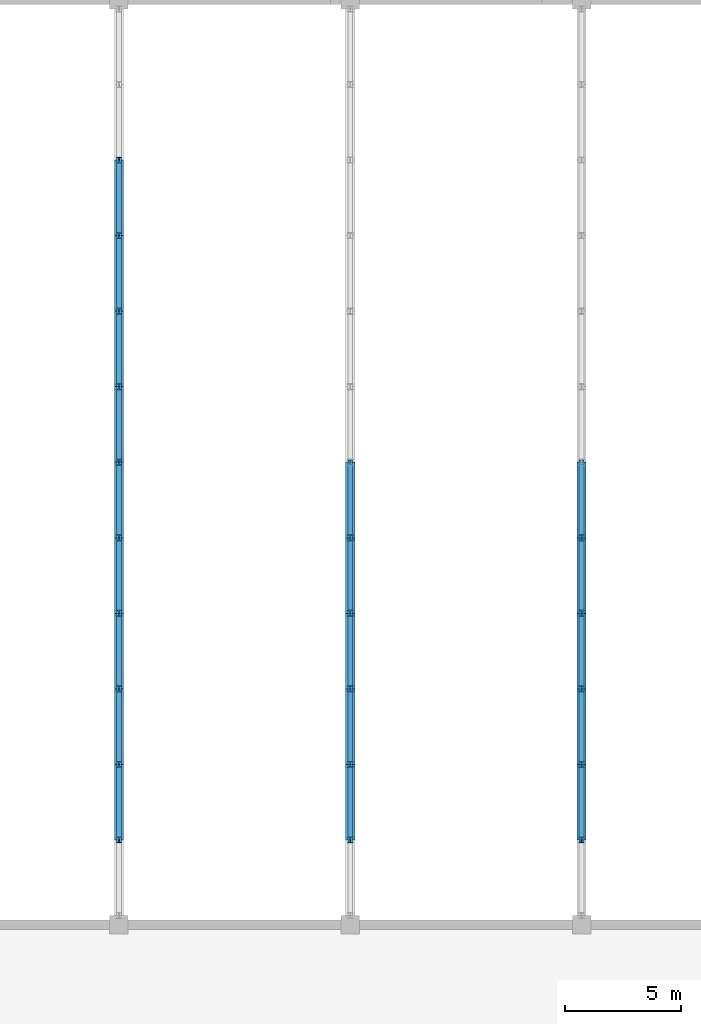
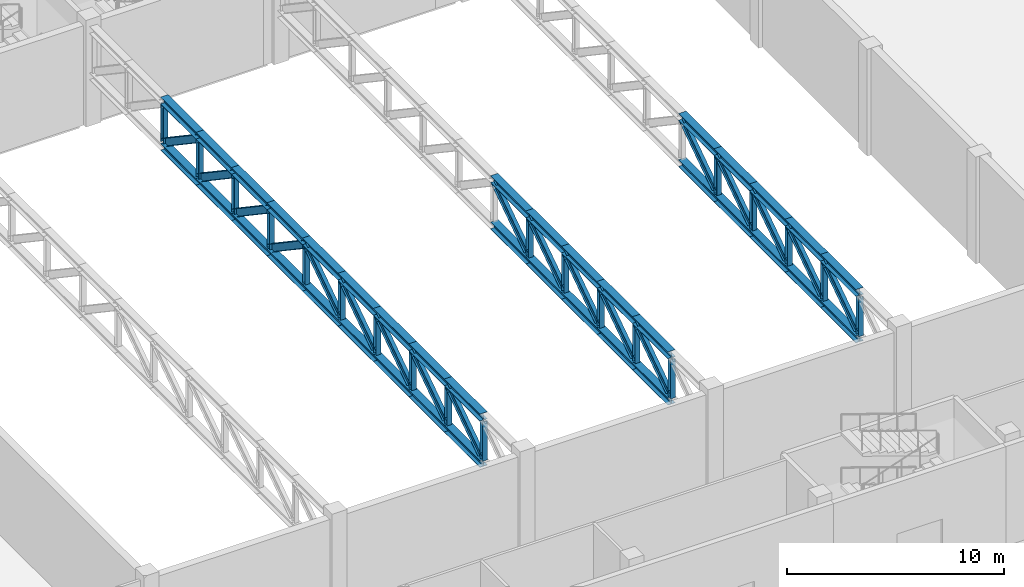
# One storey, part 19 of 51: 77 members.
"""IFC4 building model written with IfcOpenShell, lengths in metres."""

from ifc_helpers import new_model, si_unit, direction, frame, origin, origin_2d, place, context, subcontext, project, spatial, i_section, extrude, material, material_profile, profile_set, type_object, element, save


model = new_model("IFC4")

# Units and contexts
model_context = context("Model", 3, precision=1e-05, world=origin(), true_north=direction((0.0, 1.0)))
body_context = subcontext(model_context, "Body", "Model", "MODEL_VIEW")
ifc_project = project(units=[si_unit("LENGTHUNIT", "METRE"), si_unit("AREAUNIT", "SQUARE_METRE"), si_unit("VOLUMEUNIT", "CUBIC_METRE"), si_unit("PLANEANGLEUNIT", "RADIAN"), si_unit("MASSUNIT", "GRAM", prefix="KILO")], contexts=[model_context])

# Site, building, storey
site_placement = place(None, origin())
site = spatial("IfcSite", under=ifc_project, at=site_placement, CompositionType="ELEMENT")
building_placement = place(site_placement, origin())
building = spatial("IfcBuilding", under=site, at=building_placement, Name="Jabali Bay Hotel Tower and Convention Centre", CompositionType="ELEMENT")
storey_placement = place(building_placement, frame((0.0, 0.0, 9.0)))
storey = spatial("IfcBuildingStorey", under=building, at=storey_placement, Name="L01", CompositionType="ELEMENT", Elevation=9.0)

# Members
ifc_material = material(Name="Steel Q355B", Category="steel")
ifc_material_profile_1 = material_profile(ifc_material, i_section(OverallWidth=0.39990234375, OverallDepth=0.39990234375, WebThickness=0.012939453125, FlangeThickness=0.02099609375, at=origin_2d()), Name="HW400x400x13x21")
ifc_profile_set_1 = profile_set([ifc_material_profile_1], Name="Steel Q355B")
member_type_1 = type_object("IfcMemberType", Name="CC Floor Truss Chord HW400x400x13x21", PredefinedType="CHORD", material=ifc_profile_set_1)
for number, where, z_axis, x_axis, name in (
    (1, (190.699951171875, 63.666748046875, 5.389892578125), (0.0, 1.0, 0.0), (-1.0, 0.0, 0.0), "CC floor truss F2 top chord 2"),
    (2, (190.699951171875, 63.666748046875, 2.7900390625), (0.0, 1.0, 0.0), (-1.0, 0.0, 0.0), "CC floor truss F2 bottom chord 2"),
    (3, (190.699951171875, 66.933349609375, 5.389892578125), (0.0, 1.0, 0.0), (-1.0, 0.0, 0.0), "CC floor truss F2 top chord 3"),
    (4, (190.699951171875, 66.933349609375, 2.7900390625), (0.0, 1.0, 0.0), (-1.0, 0.0, 0.0), "CC floor truss F2 bottom chord 3"),
    (5, (190.699951171875, 70.199951171875, 5.389892578125), (0.0, 1.0, 0.0), (-1.0, 0.0, 0.0), "CC floor truss F2 top chord 4"),
    (6, (190.699951171875, 70.199951171875, 2.7900390625), (0.0, 1.0, 0.0), (-1.0, 0.0, 0.0), "CC floor truss F2 bottom chord 4"),
):
    element("IfcMember", number, at=place(storey_placement, frame(where, z_axis=z_axis, x_axis=x_axis)), inside=storey, type_object=member_type_1, Name=name, PredefinedType="CHORD", context=body_context, shape_type="SweptSolid", body=[
        extrude(i_section(OverallWidth=0.39990234375, OverallDepth=0.39990234375, WebThickness=0.012939453125, FlangeThickness=0.02099609375, at=origin_2d()), origin(), (0.0, 0.0, 1.0), 3.2666015625),
    ])
for number, where, z_axis, x_axis, name in (
    (7, (190.699951171875, 73.466552734375, 5.389892578125), (0.0, 1.0, 0.0), (-1.0, 0.0, 0.0), "CC floor truss F2 top chord 5"),
    (8, (190.699951171875, 73.466552734375, 2.7900390625), (0.0, 1.0, 0.0), (-1.0, 0.0, 0.0), "CC floor truss F2 bottom chord 5"),
):
    element("IfcMember", number, at=place(storey_placement, frame(where, z_axis=z_axis, x_axis=x_axis)), inside=storey, type_object=member_type_1, Name=name, PredefinedType="CHORD", context=body_context, shape_type="SweptSolid", body=[
        extrude(i_section(OverallWidth=0.39990234375, OverallDepth=0.39990234375, WebThickness=0.012939453125, FlangeThickness=0.02099609375, at=origin_2d()), origin(), (0.0, 0.0, 1.0), 3.266845703125),
    ])
for number, where, z_axis, x_axis, name in (
    (9, (190.699951171875, 76.7333984375, 5.389892578125), (0.0, 1.0, 0.0), (-1.0, 0.0, 0.0), "CC floor truss F2 top chord 6"),
    (10, (190.699951171875, 76.7333984375, 2.7900390625), (0.0, 1.0, 0.0), (-1.0, 0.0, 0.0), "CC floor truss F2 bottom chord 6"),
    (11, (190.699951171875, 80.0, 5.389892578125), (0.0, 1.0, 0.0), (-1.0, 0.0, 0.0), "CC floor truss F2 top chord 7"),
    (12, (190.699951171875, 80.0, 2.7900390625), (0.0, 1.0, 0.0), (-1.0, 0.0, 0.0), "CC floor truss F2 bottom chord 7"),
):
    element("IfcMember", number, at=place(storey_placement, frame(where, z_axis=z_axis, x_axis=x_axis)), inside=storey, type_object=member_type_1, Name=name, PredefinedType="CHORD", context=body_context, shape_type="SweptSolid", body=[
        extrude(i_section(OverallWidth=0.39990234375, OverallDepth=0.39990234375, WebThickness=0.012939453125, FlangeThickness=0.02099609375, at=origin_2d()), origin(), (0.0, 0.0, 1.0), 3.2666015625),
    ])
for number, where, z_axis, x_axis, name in (
    (13, (190.699951171875, 83.2666015625, 5.389892578125), (0.0, 1.0, 0.0), (-1.0, 0.0, 0.0), "CC floor truss F2 top chord 8"),
    (14, (190.699951171875, 83.2666015625, 2.7900390625), (0.0, 1.0, 0.0), (-1.0, 0.0, 0.0), "CC floor truss F2 bottom chord 8"),
):
    element("IfcMember", number, at=place(storey_placement, frame(where, z_axis=z_axis, x_axis=x_axis)), inside=storey, type_object=member_type_1, Name=name, PredefinedType="CHORD", context=body_context, shape_type="SweptSolid", body=[
        extrude(i_section(OverallWidth=0.39990234375, OverallDepth=0.39990234375, WebThickness=0.012939453125, FlangeThickness=0.02099609375, at=origin_2d()), origin(), (0.0, 0.0, 1.0), 3.266845703125),
    ])
for number, where, z_axis, x_axis, name in (
    (15, (190.699951171875, 86.533447265625, 5.389892578125), (0.0, 1.0, 0.0), (-1.0, 0.0, 0.0), "CC floor truss F2 top chord 9"),
    (16, (190.699951171875, 86.533447265625, 2.7900390625), (0.0, 1.0, 0.0), (-1.0, 0.0, 0.0), "CC floor truss F2 bottom chord 9"),
    (17, (190.699951171875, 89.800048828125, 5.389892578125), (0.0, 1.0, 0.0), (-1.0, 0.0, 0.0), "CC floor truss F2 top chord 10"),
    (18, (190.699951171875, 89.800048828125, 2.7900390625), (0.0, 1.0, 0.0), (-1.0, 0.0, 0.0), "CC floor truss F2 bottom chord 10"),
    (19, (200.699951171875, 63.666748046875, 5.389892578125), (0.0, 1.0, 0.0), (-1.0, 0.0, 0.0), "CC floor truss F3 top chord 2"),
    (20, (200.699951171875, 63.666748046875, 2.7900390625), (0.0, 1.0, 0.0), (-1.0, 0.0, 0.0), "CC floor truss F3 bottom chord 2"),
    (21, (200.699951171875, 66.933349609375, 5.389892578125), (0.0, 1.0, 0.0), (-1.0, 0.0, 0.0), "CC floor truss F3 top chord 3"),
    (22, (200.699951171875, 66.933349609375, 2.7900390625), (0.0, 1.0, 0.0), (-1.0, 0.0, 0.0), "CC floor truss F3 bottom chord 3"),
    (23, (200.699951171875, 70.199951171875, 5.389892578125), (0.0, 1.0, 0.0), (-1.0, 0.0, 0.0), "CC floor truss F3 top chord 4"),
    (24, (200.699951171875, 70.199951171875, 2.7900390625), (0.0, 1.0, 0.0), (-1.0, 0.0, 0.0), "CC floor truss F3 bottom chord 4"),
):
    element("IfcMember", number, at=place(storey_placement, frame(where, z_axis=z_axis, x_axis=x_axis)), inside=storey, type_object=member_type_1, Name=name, PredefinedType="CHORD", context=body_context, shape_type="SweptSolid", body=[
        extrude(i_section(OverallWidth=0.39990234375, OverallDepth=0.39990234375, WebThickness=0.012939453125, FlangeThickness=0.02099609375, at=origin_2d()), origin(), (0.0, 0.0, 1.0), 3.2666015625),
    ])
for number, where, z_axis, x_axis, name in (
    (25, (200.699951171875, 73.466552734375, 5.389892578125), (0.0, 1.0, 0.0), (-1.0, 0.0, 0.0), "CC floor truss F3 top chord 5"),
    (26, (200.699951171875, 73.466552734375, 2.7900390625), (0.0, 1.0, 0.0), (-1.0, 0.0, 0.0), "CC floor truss F3 bottom chord 5"),
):
    element("IfcMember", number, at=place(storey_placement, frame(where, z_axis=z_axis, x_axis=x_axis)), inside=storey, type_object=member_type_1, Name=name, PredefinedType="CHORD", context=body_context, shape_type="SweptSolid", body=[
        extrude(i_section(OverallWidth=0.39990234375, OverallDepth=0.39990234375, WebThickness=0.012939453125, FlangeThickness=0.02099609375, at=origin_2d()), origin(), (0.0, 0.0, 1.0), 3.266845703125),
    ])
for number, where, z_axis, x_axis, name in (
    (27, (200.699951171875, 76.7333984375, 5.389892578125), (0.0, 1.0, 0.0), (-1.0, 0.0, 0.0), "CC floor truss F3 top chord 6"),
    (28, (200.699951171875, 76.7333984375, 2.7900390625), (0.0, 1.0, 0.0), (-1.0, 0.0, 0.0), "CC floor truss F3 bottom chord 6"),
    (29, (210.699951171875, 63.666748046875, 5.389892578125), (0.0, 1.0, 0.0), (-1.0, 0.0, 0.0), "CC floor truss F4 top chord 2"),
    (30, (210.699951171875, 63.666748046875, 2.7900390625), (0.0, 1.0, 0.0), (-1.0, 0.0, 0.0), "CC floor truss F4 bottom chord 2"),
    (31, (210.699951171875, 66.933349609375, 5.389892578125), (0.0, 1.0, 0.0), (-1.0, 0.0, 0.0), "CC floor truss F4 top chord 3"),
    (32, (210.699951171875, 66.933349609375, 2.7900390625), (0.0, 1.0, 0.0), (-1.0, 0.0, 0.0), "CC floor truss F4 bottom chord 3"),
    (33, (210.699951171875, 70.199951171875, 5.389892578125), (0.0, 1.0, 0.0), (-1.0, 0.0, 0.0), "CC floor truss F4 top chord 4"),
    (34, (210.699951171875, 70.199951171875, 2.7900390625), (0.0, 1.0, 0.0), (-1.0, 0.0, 0.0), "CC floor truss F4 bottom chord 4"),
):
    element("IfcMember", number, at=place(storey_placement, frame(where, z_axis=z_axis, x_axis=x_axis)), inside=storey, type_object=member_type_1, Name=name, PredefinedType="CHORD", context=body_context, shape_type="SweptSolid", body=[
        extrude(i_section(OverallWidth=0.39990234375, OverallDepth=0.39990234375, WebThickness=0.012939453125, FlangeThickness=0.02099609375, at=origin_2d()), origin(), (0.0, 0.0, 1.0), 3.2666015625),
    ])
for number, where, z_axis, x_axis, name in (
    (35, (210.699951171875, 73.466552734375, 5.389892578125), (0.0, 1.0, 0.0), (-1.0, 0.0, 0.0), "CC floor truss F4 top chord 5"),
    (36, (210.699951171875, 73.466552734375, 2.7900390625), (0.0, 1.0, 0.0), (-1.0, 0.0, 0.0), "CC floor truss F4 bottom chord 5"),
):
    element("IfcMember", number, at=place(storey_placement, frame(where, z_axis=z_axis, x_axis=x_axis)), inside=storey, type_object=member_type_1, Name=name, PredefinedType="CHORD", context=body_context, shape_type="SweptSolid", body=[
        extrude(i_section(OverallWidth=0.39990234375, OverallDepth=0.39990234375, WebThickness=0.012939453125, FlangeThickness=0.02099609375, at=origin_2d()), origin(), (0.0, 0.0, 1.0), 3.266845703125),
    ])
for number, where, z_axis, x_axis, name in (
    (37, (210.699951171875, 76.7333984375, 5.389892578125), (0.0, 1.0, 0.0), (-1.0, 0.0, 0.0), "CC floor truss F4 top chord 6"),
    (38, (210.699951171875, 76.7333984375, 2.7900390625), (0.0, 1.0, 0.0), (-1.0, 0.0, 0.0), "CC floor truss F4 bottom chord 6"),
):
    element("IfcMember", number, at=place(storey_placement, frame(where, z_axis=z_axis, x_axis=x_axis)), inside=storey, type_object=member_type_1, Name=name, PredefinedType="CHORD", context=body_context, shape_type="SweptSolid", body=[
        extrude(i_section(OverallWidth=0.39990234375, OverallDepth=0.39990234375, WebThickness=0.012939453125, FlangeThickness=0.02099609375, at=origin_2d()), origin(), (0.0, 0.0, 1.0), 3.2666015625),
    ])
ifc_material_profile_2 = material_profile(ifc_material, i_section(OverallWidth=0.199951171875, OverallDepth=0.39990234375, WebThickness=0.008056640625, FlangeThickness=0.012939453125, at=origin_2d()), Name="HN400x200x8x13")
ifc_profile_set_2 = profile_set([ifc_material_profile_2], Name="Steel Q355B")
member_type_2 = type_object("IfcMemberType", Name="CC Floor Truss Diagonal HN400x200x8x13", PredefinedType="BRACE", material=ifc_profile_set_2)
for number, where, z_axis, x_axis, name in (
    (39, (190.699951171875, 63.666748046875, 2.989990234375), (0.0, 0.829437513265, 0.55859950912), (-1.0, 0.0, 0.0), "CC floor truss F2 diagonal 2"),
    (40, (190.699951171875, 66.933349609375, 2.989990234375), (0.0, 0.829437513265, 0.55859950912), (-1.0, 0.0, 0.0), "CC floor truss F2 diagonal 3"),
    (41, (190.699951171875, 70.199951171875, 2.989990234375), (0.0, 0.829437513265, 0.55859950912), (-1.0, 0.0, 0.0), "CC floor truss F2 diagonal 4"),
):
    element("IfcMember", number, at=place(storey_placement, frame(where, z_axis=z_axis, x_axis=x_axis)), inside=storey, type_object=member_type_2, Name=name, PredefinedType="BRACE", context=body_context, shape_type="SweptSolid", body=[
        extrude(i_section(OverallWidth=0.199951171875, OverallDepth=0.39990234375, WebThickness=0.008056640625, FlangeThickness=0.012939453125, at=origin_2d()), origin(), (0.0, 0.0, 1.0), 3.938232421875),
    ])
member_1_placement = place(storey_placement, frame((190.699951171875, 73.466552734375, 2.989990234375), z_axis=(0.0, 0.829456854988, 0.558570788453), x_axis=(-1.0, 0.0, 0.0)))
element("IfcMember", 42, at=member_1_placement, inside=storey, type_object=member_type_2, Name="CC floor truss F2 diagonal 5", PredefinedType="BRACE", context=body_context, shape_type="SweptSolid", body=[
    extrude(i_section(OverallWidth=0.199951171875, OverallDepth=0.39990234375, WebThickness=0.008056640625, FlangeThickness=0.012939453125, at=origin_2d()), origin(), (0.0, 0.0, 1.0), 3.9384765625),
])
for number, where, z_axis, x_axis, name in (
    (43, (190.699951171875, 76.7333984375, 2.989990234375), (0.0, 0.829437513265, 0.55859950912), (-1.0, 0.0, 0.0), "CC floor truss F2 diagonal 6"),
    (44, (190.699951171875, 83.2666015625, 2.989990234375), (0.0, -0.829437513265, 0.55859950912), (1.0, 0.0, 0.0), "CC floor truss F2 diagonal 7"),
):
    element("IfcMember", number, at=place(storey_placement, frame(where, z_axis=z_axis, x_axis=x_axis)), inside=storey, type_object=member_type_2, Name=name, PredefinedType="BRACE", context=body_context, shape_type="SweptSolid", body=[
        extrude(i_section(OverallWidth=0.199951171875, OverallDepth=0.39990234375, WebThickness=0.008056640625, FlangeThickness=0.012939453125, at=origin_2d()), origin(), (0.0, 0.0, 1.0), 3.938232421875),
    ])
member_2_placement = place(storey_placement, frame((190.699951171875, 86.533447265625, 2.989990234375), z_axis=(0.0, -0.829456854988, 0.558570788453), x_axis=(1.0, 0.0, 0.0)))
element("IfcMember", 45, at=member_2_placement, inside=storey, type_object=member_type_2, Name="CC floor truss F2 diagonal 8", PredefinedType="BRACE", context=body_context, shape_type="SweptSolid", body=[
    extrude(i_section(OverallWidth=0.199951171875, OverallDepth=0.39990234375, WebThickness=0.008056640625, FlangeThickness=0.012939453125, at=origin_2d()), origin(), (0.0, 0.0, 1.0), 3.9384765625),
])
for number, where, z_axis, x_axis, name in (
    (46, (190.699951171875, 89.800048828125, 2.989990234375), (0.0, -0.829437513265, 0.55859950912), (1.0, 0.0, 0.0), "CC floor truss F2 diagonal 9"),
    (47, (190.699951171875, 93.066650390625, 2.989990234375), (0.0, -0.829437513265, 0.55859950912), (1.0, 0.0, 0.0), "CC floor truss F2 diagonal 10"),
    (48, (200.699951171875, 63.666748046875, 2.989990234375), (0.0, 0.829437513265, 0.55859950912), (-1.0, 0.0, 0.0), "CC floor truss F3 diagonal 2"),
    (49, (200.699951171875, 66.933349609375, 2.989990234375), (0.0, 0.829437513265, 0.55859950912), (-1.0, 0.0, 0.0), "CC floor truss F3 diagonal 3"),
    (50, (200.699951171875, 70.199951171875, 2.989990234375), (0.0, 0.829437513265, 0.55859950912), (-1.0, 0.0, 0.0), "CC floor truss F3 diagonal 4"),
):
    element("IfcMember", number, at=place(storey_placement, frame(where, z_axis=z_axis, x_axis=x_axis)), inside=storey, type_object=member_type_2, Name=name, PredefinedType="BRACE", context=body_context, shape_type="SweptSolid", body=[
        extrude(i_section(OverallWidth=0.199951171875, OverallDepth=0.39990234375, WebThickness=0.008056640625, FlangeThickness=0.012939453125, at=origin_2d()), origin(), (0.0, 0.0, 1.0), 3.938232421875),
    ])
member_3_placement = place(storey_placement, frame((200.699951171875, 73.466552734375, 2.989990234375), z_axis=(0.0, 0.829456854988, 0.558570788453), x_axis=(-1.0, 0.0, 0.0)))
element("IfcMember", 51, at=member_3_placement, inside=storey, type_object=member_type_2, Name="CC floor truss F3 diagonal 5", PredefinedType="BRACE", context=body_context, shape_type="SweptSolid", body=[
    extrude(i_section(OverallWidth=0.199951171875, OverallDepth=0.39990234375, WebThickness=0.008056640625, FlangeThickness=0.012939453125, at=origin_2d()), origin(), (0.0, 0.0, 1.0), 3.9384765625),
])
for number, where, z_axis, x_axis, name in (
    (52, (200.699951171875, 76.7333984375, 2.989990234375), (0.0, 0.829437513265, 0.55859950912), (-1.0, 0.0, 0.0), "CC floor truss F3 diagonal 6"),
    (53, (210.699951171875, 63.666748046875, 2.989990234375), (0.0, 0.829437513265, 0.55859950912), (-1.0, 0.0, 0.0), "CC floor truss F4 diagonal 2"),
    (54, (210.699951171875, 66.933349609375, 2.989990234375), (0.0, 0.829437513265, 0.55859950912), (-1.0, 0.0, 0.0), "CC floor truss F4 diagonal 3"),
    (55, (210.699951171875, 70.199951171875, 2.989990234375), (0.0, 0.829437513265, 0.55859950912), (-1.0, 0.0, 0.0), "CC floor truss F4 diagonal 4"),
):
    element("IfcMember", number, at=place(storey_placement, frame(where, z_axis=z_axis, x_axis=x_axis)), inside=storey, type_object=member_type_2, Name=name, PredefinedType="BRACE", context=body_context, shape_type="SweptSolid", body=[
        extrude(i_section(OverallWidth=0.199951171875, OverallDepth=0.39990234375, WebThickness=0.008056640625, FlangeThickness=0.012939453125, at=origin_2d()), origin(), (0.0, 0.0, 1.0), 3.938232421875),
    ])
member_4_placement = place(storey_placement, frame((210.699951171875, 73.466552734375, 2.989990234375), z_axis=(0.0, 0.829456854988, 0.558570788453), x_axis=(-1.0, 0.0, 0.0)))
element("IfcMember", 56, at=member_4_placement, inside=storey, type_object=member_type_2, Name="CC floor truss F4 diagonal 5", PredefinedType="BRACE", context=body_context, shape_type="SweptSolid", body=[
    extrude(i_section(OverallWidth=0.199951171875, OverallDepth=0.39990234375, WebThickness=0.008056640625, FlangeThickness=0.012939453125, at=origin_2d()), origin(), (0.0, 0.0, 1.0), 3.9384765625),
])
member_5_placement = place(storey_placement, frame((210.699951171875, 76.7333984375, 2.989990234375), z_axis=(0.0, 0.829437513265, 0.55859950912), x_axis=(-1.0, 0.0, 0.0)))
element("IfcMember", 57, at=member_5_placement, inside=storey, type_object=member_type_2, Name="CC floor truss F4 diagonal 6", PredefinedType="BRACE", context=body_context, shape_type="SweptSolid", body=[
    extrude(i_section(OverallWidth=0.199951171875, OverallDepth=0.39990234375, WebThickness=0.008056640625, FlangeThickness=0.012939453125, at=origin_2d()), origin(), (0.0, 0.0, 1.0), 3.938232421875),
])
ifc_material_profile_3 = material_profile(ifc_material, i_section(OverallWidth=0.25, OverallDepth=0.25, WebThickness=0.009033203125, FlangeThickness=0.013916015625, at=origin_2d()), Name="HW250x250x9x14")
ifc_profile_set_3 = profile_set([ifc_material_profile_3], Name="Steel Q355B")
member_type_3 = type_object("IfcMemberType", Name="CC Floor Truss Post HW250x250x9x14", PredefinedType="POST", material=ifc_profile_set_3)
for number, where, z_axis, x_axis, name in (
    (58, (190.699951171875, 63.666748046875, 2.989990234375), (0.0, 0.0, 1.0), (1.0, 0.0, 0.0), "CC floor truss F2 post 2"),
    (59, (190.699951171875, 66.933349609375, 2.989990234375), (0.0, 0.0, 1.0), (1.0, 0.0, 0.0), "CC floor truss F2 post 3"),
    (60, (190.699951171875, 70.199951171875, 2.989990234375), (0.0, 0.0, 1.0), (1.0, 0.0, 0.0), "CC floor truss F2 post 4"),
    (61, (190.699951171875, 73.466552734375, 2.989990234375), (0.0, 0.0, 1.0), (1.0, 0.0, 0.0), "CC floor truss F2 post 5"),
    (62, (190.699951171875, 76.7333984375, 2.989990234375), (0.0, 0.0, 1.0), (1.0, 0.0, 0.0), "CC floor truss F2 post 6"),
    (63, (190.699951171875, 80.0, 2.989990234375), (0.0, 0.0, 1.0), (1.0, 0.0, 0.0), "CC floor truss F2 post 7"),
    (64, (190.699951171875, 83.2666015625, 2.989990234375), (0.0, 0.0, 1.0), (1.0, 0.0, 0.0), "CC floor truss F2 post 8"),
    (65, (190.699951171875, 86.533447265625, 2.989990234375), (0.0, 0.0, 1.0), (1.0, 0.0, 0.0), "CC floor truss F2 post 9"),
    (66, (190.699951171875, 89.800048828125, 2.989990234375), (0.0, 0.0, 1.0), (1.0, 0.0, 0.0), "CC floor truss F2 post 10"),
    (67, (190.699951171875, 93.066650390625, 2.989990234375), (0.0, 0.0, 1.0), (1.0, 0.0, 0.0), "CC floor truss F2 post 11"),
    (68, (200.699951171875, 63.666748046875, 2.989990234375), (0.0, 0.0, 1.0), (1.0, 0.0, 0.0), "CC floor truss F3 post 2"),
    (69, (200.699951171875, 66.933349609375, 2.989990234375), (0.0, 0.0, 1.0), (1.0, 0.0, 0.0), "CC floor truss F3 post 3"),
    (70, (200.699951171875, 70.199951171875, 2.989990234375), (0.0, 0.0, 1.0), (1.0, 0.0, 0.0), "CC floor truss F3 post 4"),
    (71, (200.699951171875, 73.466552734375, 2.989990234375), (0.0, 0.0, 1.0), (1.0, 0.0, 0.0), "CC floor truss F3 post 5"),
    (72, (200.699951171875, 76.7333984375, 2.989990234375), (0.0, 0.0, 1.0), (1.0, 0.0, 0.0), "CC floor truss F3 post 6"),
    (73, (210.699951171875, 63.666748046875, 2.989990234375), (0.0, 0.0, 1.0), (1.0, 0.0, 0.0), "CC floor truss F4 post 2"),
    (74, (210.699951171875, 66.933349609375, 2.989990234375), (0.0, 0.0, 1.0), (1.0, 0.0, 0.0), "CC floor truss F4 post 3"),
    (75, (210.699951171875, 70.199951171875, 2.989990234375), (0.0, 0.0, 1.0), (1.0, 0.0, 0.0), "CC floor truss F4 post 4"),
    (76, (210.699951171875, 73.466552734375, 2.989990234375), (0.0, 0.0, 1.0), (1.0, 0.0, 0.0), "CC floor truss F4 post 5"),
    (77, (210.699951171875, 76.7333984375, 2.989990234375), (0.0, 0.0, 1.0), (1.0, 0.0, 0.0), "CC floor truss F4 post 6"),
):
    element("IfcMember", number, at=place(storey_placement, frame(where, z_axis=z_axis, x_axis=x_axis)), inside=storey, type_object=member_type_3, Name=name, PredefinedType="POST", context=body_context, shape_type="SweptSolid", body=[
        extrude(i_section(OverallWidth=0.25, OverallDepth=0.25, WebThickness=0.009033203125, FlangeThickness=0.013916015625, at=origin_2d()), origin(), (0.0, 0.0, 1.0), 2.199951171875),
    ])

save(model, "model.ifc")
